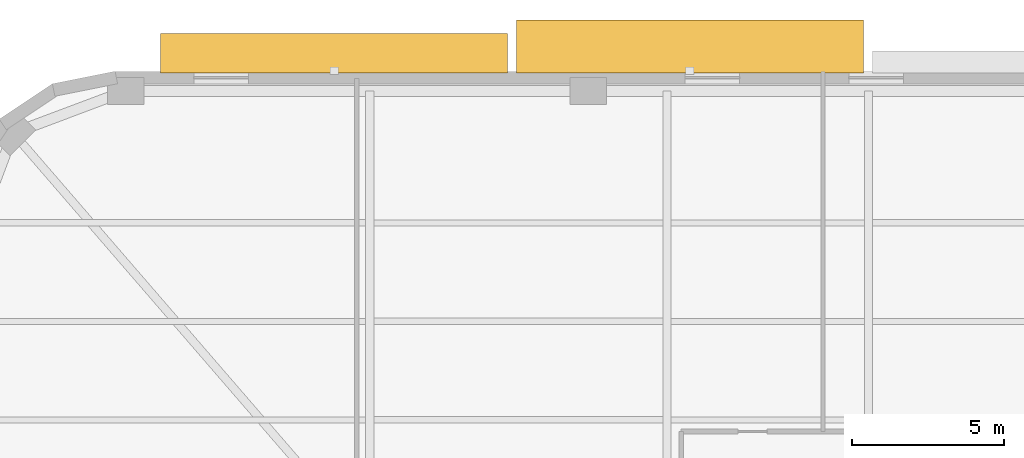
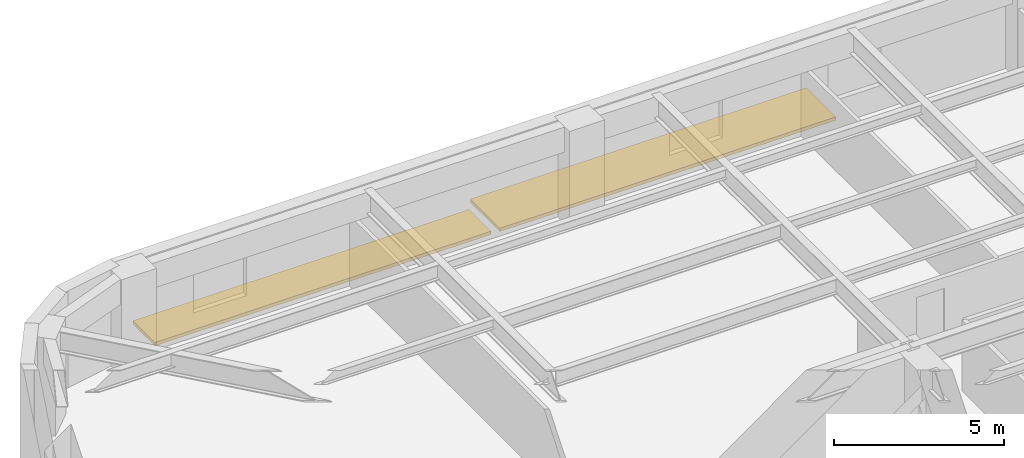
# One storey, part 12 of 14: 2 shading devices.
"""IFC4 building model written with IfcOpenShell, lengths in metres."""

import ifcopenshell
import ifcopenshell.guid

model = None  # the IFC model being written
_history = None  # IfcOwnerHistory: only IFC2X3 demands one
_inside = {}  # id of a spatial element -> (the spatial element, [elements in it])
_under = {}  # id of a project, library or spatial element -> (it, [spatial elements below it])
_declared = {}  # id of a project -> (the project, [libraries it declares])
_typed = {}  # id of a type object -> (the type object, [elements of that type])
_made_of = {}  # id of a material, layer set ... -> (it, [elements and type objects made of it])


def new_model(schema):
    """Start an empty IFC model of exactly this schema.

    Asked for "IFC4X3", IfcOpenShell would pick the latest addendum, in which some entities
    have other attributes; the version numbers below select the first issue.
    IFC2X3 requires an IfcOwnerHistory on every rooted entity: one is made here for all.
    """
    global model, _history
    if schema == "IFC4X3":
        model = ifcopenshell.file(schema_version=(4, 3, 0, 0))
    else:
        model = ifcopenshell.file(schema=schema)
    _inside.clear()
    _under.clear()
    _declared.clear()
    _typed.clear()
    _made_of.clear()
    _history = None
    if model.schema == "IFC2X3":
        org = make("IfcOrganization", Name="unknown")
        user = make(
            "IfcPersonAndOrganization",
            ThePerson=make("IfcPerson", FamilyName="unknown"),
            TheOrganization=org,
        )
        app = make(
            "IfcApplication",
            ApplicationDeveloper=org,
            Version="unknown",
            ApplicationFullName="unknown",
            ApplicationIdentifier="unknown",
        )
        _history = make(
            "IfcOwnerHistory",
            OwningUser=user,
            OwningApplication=app,
            ChangeAction="ADDED",
            CreationDate=0,
        )
    return model


def make(cls, **values):
    """One entity of the class cls with the attributes given. An attribute that is None is left unset."""
    return model.create_entity(
        cls, **{name: value for name, value in values.items() if value is not None}
    )


def rooted(cls, **values):
    """An entity with a GlobalId (a new one), such as an element, a storey or a relation."""
    return make(cls, GlobalId=ifcopenshell.guid.new(), OwnerHistory=_history, **values)


def si_unit(unit_type, name, prefix=None):
    """IfcSIUnit, for example si_unit("LENGTHUNIT", "METRE", prefix="MILLI")."""
    return make("IfcSIUnit", UnitType=unit_type, Prefix=prefix, Name=name)


def assignment(units):
    """IfcUnitAssignment: the units of a project."""
    return None if units is None else make("IfcUnitAssignment", Units=units)


def point(xyz):
    """IfcCartesianPoint."""
    return None if xyz is None else make("IfcCartesianPoint", Coordinates=xyz)


def direction(xyz):
    """IfcDirection."""
    return None if xyz is None else make("IfcDirection", DirectionRatios=xyz)


def frame(location, z_axis=None, x_axis=None):
    """IfcAxis2Placement3D, a coordinate frame: its origin and axes. An axis left out is left unset."""
    return make(
        "IfcAxis2Placement3D",
        Location=point(location),
        Axis=direction(z_axis),
        RefDirection=direction(x_axis),
    )


def frame_2d(location, x_axis=None):
    """IfcAxis2Placement2D, a coordinate frame in the plane: its origin and x axis."""
    return make(
        "IfcAxis2Placement2D", Location=point(location), RefDirection=direction(x_axis)
    )


def origin():
    """The frame at (0, 0, 0) with its axes left unset."""
    return frame((0.0, 0.0, 0.0))


def origin_2d():
    """The frame at (0, 0) in the plane with its x axis left unset."""
    return frame_2d((0.0, 0.0))


def place(relative_to, where):
    """IfcLocalPlacement: puts the frame where relative to a parent placement (None: the world)."""
    return make(
        "IfcLocalPlacement", PlacementRelTo=relative_to, RelativePlacement=where
    )


def context(
    kind, dimensions, precision=None, world=None, true_north=None, identifier=None
):
    """IfcGeometricRepresentationContext, for example the 3D "Model" context."""
    return make(
        "IfcGeometricRepresentationContext",
        ContextIdentifier=identifier,
        ContextType=kind,
        CoordinateSpaceDimension=dimensions,
        Precision=precision,
        WorldCoordinateSystem=world,
        TrueNorth=true_north,
    )


def subcontext(parent, identifier, kind, view, scale=None):
    """IfcGeometricRepresentationSubContext, for example "Body" below "Model"."""
    return make(
        "IfcGeometricRepresentationSubContext",
        ContextIdentifier=identifier,
        ContextType=kind,
        ParentContext=parent,
        TargetScale=scale,
        TargetView=view,
    )


def project(units=None, contexts=None):
    """IfcProject with its units and contexts."""
    return rooted(
        "IfcProject",
        Name="project",
        RepresentationContexts=contexts,
        UnitsInContext=assignment(units),
    )


def spatial(cls, under=None, at=None, **own):
    """A site, building, storey or space (cls), placed at a placement, below another one or the project."""
    s = rooted(cls, ObjectPlacement=at, **own)
    if under is not None:
        _under.setdefault(under.id(), (under, []))[1].append(s)
    return s


def profile(cls, at=None, kind="AREA", **sizes):
    """A parametric profile (cls). Its sizes go by their IFC names, for example OverallWidth=200.0."""
    return make(cls, ProfileType=kind, Position=at, **sizes)


def rectangle(**sizes):
    """IfcRectangleProfileDef."""
    return profile("IfcRectangleProfileDef", **sizes)


def extrude(swept, where, along, depth):
    """IfcExtrudedAreaSolid: the profile swept, set in the frame where, extruded along a direction by depth."""
    return make(
        "IfcExtrudedAreaSolid",
        SweptArea=swept,
        Position=where,
        ExtrudedDirection=direction(along),
        Depth=depth,
    )


def shape(context_of_items, identifier, shape_type, items):
    """IfcShapeRepresentation: the items that make up one representation, for example the "Body"."""
    return make(
        "IfcShapeRepresentation",
        ContextOfItems=context_of_items,
        RepresentationIdentifier=identifier,
        RepresentationType=shape_type,
        Items=items,
    )


def material(Name=None, Category=None):
    """IfcMaterial."""
    return make("IfcMaterial", Name=Name, Category=Category)


def made_of(thing, what):
    """Note that an element or type object is made of a material, layer set ...; save() writes the relation."""
    if what is not None:
        _made_of.setdefault(what.id(), (what, []))[1].append(thing)
    return thing


def type_object(cls, material=None, **own):
    """A type object (cls), such as IfcWallType, which elements share."""
    return made_of(rooted(cls, **own), material)


def element(
    cls,
    number,
    at=None,
    inside=None,
    cuts=None,
    type_object=None,
    material=None,
    context=None,
    identifier="Body",
    shape_type=None,
    held_by="IfcProductDefinitionShape",
    body=None,
    shapes=None,
    **own,
):
    """One element of the class cls, such as IfcWall. Its Tag is "e" and its number.

    at: its placement. inside: the storey or other place that contains it. cuts: it is an
    opening in that element (IfcRelVoidsElement). A single representation is given by context,
    identifier, shape_type and body (its items); several are given by shapes. held_by: the class
    of the entity that holds the representations. save() writes the other relations.
    """
    e = rooted(cls, Tag="e%d" % number, ObjectPlacement=at, **own)
    if body is not None:
        shapes = [shape(context, identifier, shape_type, body)]
    if shapes is not None:
        e.Representation = make(held_by, Representations=shapes)
    if inside is not None:
        _inside.setdefault(inside.id(), (inside, []))[1].append(e)
    if cuts is not None:
        rooted(
            "IfcRelVoidsElement", RelatingBuildingElement=cuts, RelatedOpeningElement=e
        )
    if type_object is not None:
        _typed.setdefault(type_object.id(), (type_object, []))[1].append(e)
    return made_of(e, material)


def aggregate(whole, parts):
    """IfcRelAggregates: a whole, such as a stair, and the parts it consists of."""
    return rooted("IfcRelAggregates", RelatingObject=whole, RelatedObjects=parts)


def save(model, path):
    """Write the relations noted so far, then the file.

    IfcRelAggregates (storeys below a building ...), IfcRelContainedInSpatialStructure (elements
    in a storey), IfcRelDefinesByType, IfcRelAssociatesMaterial and IfcRelDeclares: one each for
    every whole, place, type object, material and project.
    """
    for whole, parts in _under.values():
        aggregate(whole, parts)
    for where, things in _inside.values():
        rooted(
            "IfcRelContainedInSpatialStructure",
            RelatedElements=things,
            RelatingStructure=where,
        )
    for kind, things in _typed.values():
        rooted("IfcRelDefinesByType", RelatedObjects=things, RelatingType=kind)
    for what, things in _made_of.values():
        rooted("IfcRelAssociatesMaterial", RelatedObjects=things, RelatingMaterial=what)
    for by, libraries in _declared.values():
        rooted("IfcRelDeclares", RelatingContext=by, RelatedDefinitions=libraries)
    model.write(path)


model = new_model("IFC4")

# Units and contexts
model_context = context("Model", 3, precision=1e-05, world=origin(), true_north=direction((0.0, 1.0)))
body_context = subcontext(model_context, "Body", "Model", "MODEL_VIEW")
ifc_project = project(units=[si_unit("LENGTHUNIT", "METRE"), si_unit("AREAUNIT", "SQUARE_METRE"), si_unit("VOLUMEUNIT", "CUBIC_METRE"), si_unit("PLANEANGLEUNIT", "RADIAN"), si_unit("MASSUNIT", "GRAM", prefix="KILO")], contexts=[model_context])

# Site, building, storey
site_placement = place(None, origin())
site = spatial("IfcSite", under=ifc_project, at=site_placement, CompositionType="ELEMENT")
building_placement = place(site_placement, origin())
building = spatial("IfcBuilding", under=site, at=building_placement, Name="Kolvaren Arena Tower", CompositionType="ELEMENT")
storey_placement = place(building_placement, frame((0.0, 0.0, 75.75)))
storey = spatial("IfcBuildingStorey", under=building, at=storey_placement, Name="L16", CompositionType="ELEMENT", Elevation=75.75)

# Shading devices
ifc_material = material(Name="Architectural precast GFRC and anodised aluminium sunshade", Category="concrete")
shading_device_type = type_object("IfcShadingDeviceType", Name="SHAD-SINE-B", PredefinedType="JALOUSIE", material=ifc_material)
shading_device_1_placement = place(storey_placement, frame((13.3701171875, 50.0966796875, -0.14013671875), z_axis=(0.0, 0.0, 1.0), x_axis=(1.0, 0.0, 0.0)))
element("IfcShadingDevice", 1, at=shading_device_1_placement, inside=storey, type_object=shading_device_type, Name="Sinusoidal Slab-Edge Sunshade Louvre (L16)", PredefinedType="JALOUSIE", context=body_context, shape_type="SweptSolid", body=[
    extrude(rectangle(XDim=11.43994140625, YDim=1.293701171875, at=origin_2d()), origin(), (0.0, 0.0, 1.0), 0.1201171875),
])
shading_device_2_placement = place(storey_placement, frame((25.110107421875, 50.3203125, -0.14013671875), z_axis=(0.0, 0.0, 1.0), x_axis=(1.0, 0.0, 0.0)))
element("IfcShadingDevice", 2, at=shading_device_2_placement, inside=storey, type_object=shading_device_type, Name="Sinusoidal Slab-Edge Sunshade Louvre (L16)", PredefinedType="JALOUSIE", context=body_context, shape_type="SweptSolid", body=[
    extrude(rectangle(XDim=11.43994140625, YDim=1.740478515625, at=origin_2d()), origin(), (0.0, 0.0, 1.0), 0.1201171875),
])

save(model, "model.ifc")
